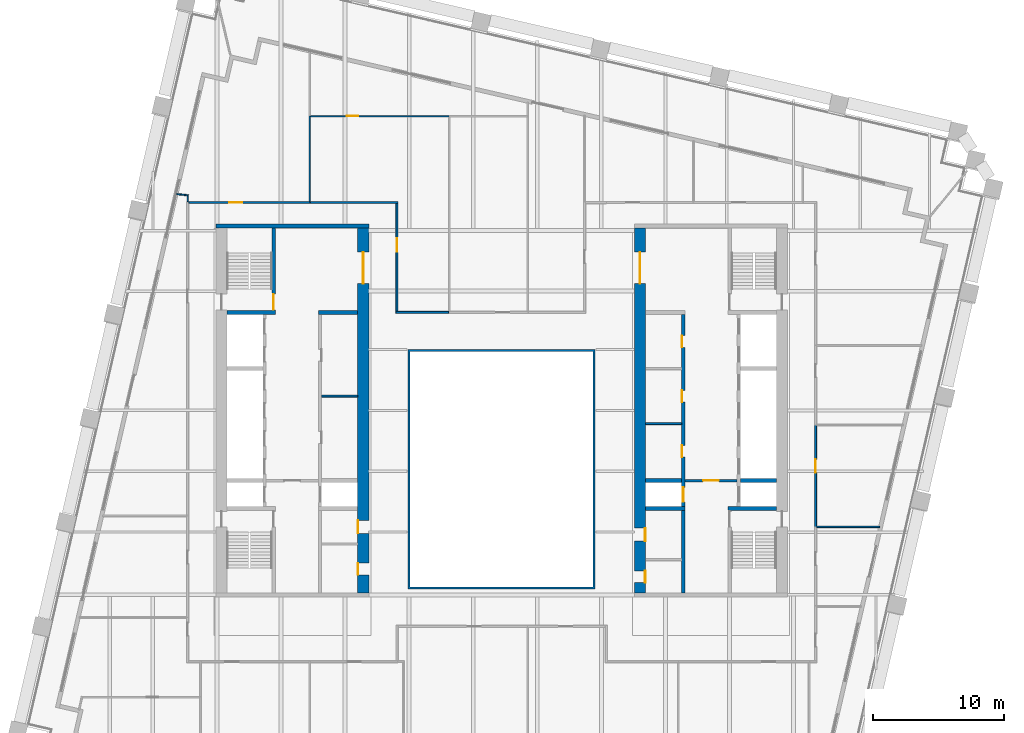
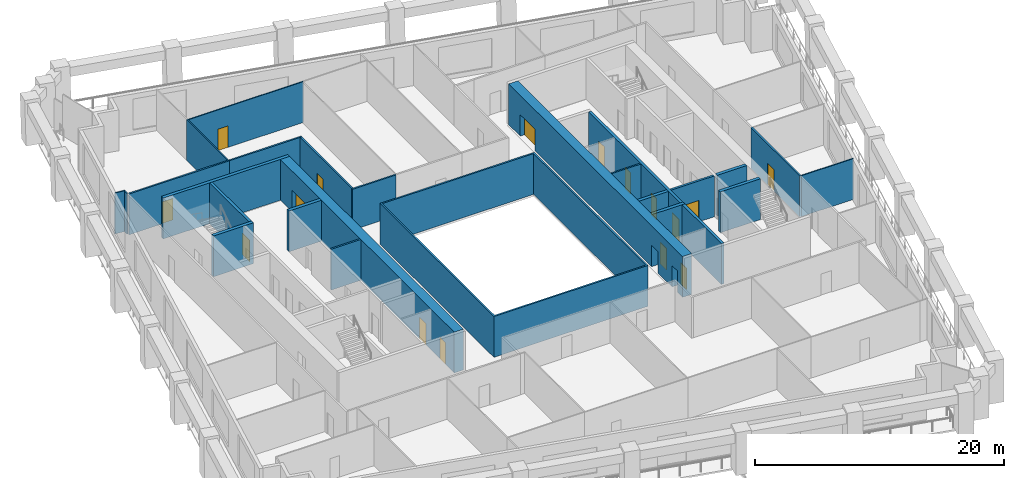
# One storey, part 6 of 9: 25 walls, 16 doors, 16 openings.
"""IFC4 building model written with IfcOpenShell, lengths in metres."""

from ifc_helpers import new_model, si_unit, direction, frame, frame_2d, origin, place, context, subcontext, project, spatial, polyline, rectangle, outline, extrude, material, layer, layer_set, type_object, element, fill, save


model = new_model("IFC4")

# Units and contexts
model_context = context("Model", 3, precision=1e-05, world=origin(), true_north=direction((0.0, 1.0)))
body_context = subcontext(model_context, "Body", "Model", "MODEL_VIEW")
ifc_project = project(units=[si_unit("LENGTHUNIT", "METRE"), si_unit("AREAUNIT", "SQUARE_METRE"), si_unit("VOLUMEUNIT", "CUBIC_METRE"), si_unit("PLANEANGLEUNIT", "RADIAN"), si_unit("MASSUNIT", "GRAM", prefix="KILO")], contexts=[model_context])

# Site, building, storey
site_placement = place(None, origin())
site = spatial("IfcSite", under=ifc_project, at=site_placement, CompositionType="ELEMENT")
building_placement = place(site_placement, origin())
building = spatial("IfcBuilding", under=site, at=building_placement, Name="Ogive Exchange Tower", CompositionType="ELEMENT")
storey_placement = place(building_placement, frame((0.0, 0.0, 126.60009765625)))
storey = spatial("IfcBuildingStorey", under=building, at=storey_placement, Name="L27", CompositionType="ELEMENT", Elevation=126.60009765625)

# Walls
ifc_material_1 = material(Name="Gypsum board partition")
ifc_layer_1 = layer(ifc_material_1, 0.14990234375)
ifc_layer_set_1 = layer_set([ifc_layer_1], Name="Core room partition 150 gypsum")
wall_type_1 = type_object("IfcWallType", Name="Core room partition 150 gypsum", PredefinedType="PARTITIONING", material=ifc_layer_set_1)
for number, where, z_axis, x_axis, name in (
    (1, (-13.75, 12.60009765625, 0.0), (0.0, 0.0, 1.0), (1.0, 0.0, 0.0), "W row B bay partition 1-1"),
    (2, (11.0, 10.5, 0.0), (0.0, 0.0, 1.0), (1.0, 0.0, 0.0), "E row B bay partition 1-1"),
):
    element("IfcWall", number, at=place(storey_placement, frame(where, z_axis=z_axis, x_axis=x_axis)), inside=storey, type_object=wall_type_1, Name=name, PredefinedType="PARTITIONING", context=body_context, shape_type="SweptSolid", body=[
        extrude(rectangle(XDim=2.75, YDim=0.14990234375, at=frame_2d((1.375, 0.0))), origin(), (0.0, 0.0, 1.0), 4.0),
    ])
ifc_layer_2 = layer(ifc_material_1, 0.300048828125)
ifc_layer_set_2 = layer_set([ifc_layer_2], Name="Core room partition 300 gypsum")
wall_type_2 = type_object("IfcWallType", Name="Core room partition 300 gypsum", PredefinedType="PARTITIONING", material=ifc_layer_set_2)
wall_1_placement = place(storey_placement, frame((-14.0, 19.0, 0.0), z_axis=(0.0, 0.0, 1.0), x_axis=(1.0, 0.0, 0.0)))
element("IfcWall", 3, at=wall_1_placement, inside=storey, type_object=wall_type_2, Name="W row B room end wall 7", PredefinedType="PARTITIONING", context=body_context, shape_type="SweptSolid", body=[
    extrude(rectangle(XDim=3.0, YDim=0.300048828125, at=frame_2d((1.5, 0.0))), origin(), (0.0, 0.0, 1.0), 4.0),
])

# Wall, opening, door
ifc_material_2 = material(Name="Fire partition EI 60 150")
ifc_layer_3 = layer(ifc_material_2, 0.14990234375)
ifc_layer_set_3 = layer_set([ifc_layer_3], Name="Fire partition EI 60 150")
wall_type_3 = type_object("IfcWallType", Name="Fire partition EI 60 150", PredefinedType="PARTITIONING", material=ifc_layer_set_3)
wall_2_placement = place(storey_placement, frame((-23.9150390625, 27.39990234375, 0.0), z_axis=(0.0, 0.0, 1.0), x_axis=(1.0, 0.0, 0.0)))
wall_2 = element("IfcWall", 4, at=wall_2_placement, inside=storey, type_object=wall_type_3, Name="L27-PWL-009", PredefinedType="PARTITIONING", context=body_context, shape_type="SweptSolid", body=[
    extrude(rectangle(XDim=9.294921875, YDim=0.14990234375, at=frame_2d((4.6474609375, 0.0))), origin(), (0.0, 0.0, 1.0), 4.0),
])
opening_1_placement = place(wall_2_placement, frame((3.094970703125, 0.0, 0.0)))
opening_1 = element("IfcOpeningElement", 5, at=opening_1_placement, cuts=wall_2, Name="Opening L27-I18", PredefinedType="OPENING", context=body_context, shape_type="SweptSolid", body=[
    extrude(rectangle(XDim=1.0, YDim=2.10009765625, at=frame_2d((0.5, 1.050048828125))), frame((0.0, 0.0849609375, 0.0), z_axis=(0.0, -1.0, 0.0), x_axis=(1.0, 0.0, 0.0)), (0.0, 0.0, 1.0), 0.169921875),
])
ifc_material_3 = material(Name="Fire door FD 30S 1000 x 2100")
door_type_1 = type_object("IfcDoorType", Name="Fire door FD 30S 1000 x 2100", OperationType="NOTDEFINED", PredefinedType="DOOR", material=ifc_material_3)
door_1_placement = place(opening_1_placement, origin())
door_1 = element("IfcDoor", 6, at=door_1_placement, inside=storey, type_object=door_type_1, Name="L27-IDR-018", ObjectType="DT3", OperationType="SINGLE_SWING_RIGHT", OverallHeight=2.10009765625, OverallWidth=1.0, PredefinedType="DOOR", context=body_context, shape_type="SweptSolid", body=[
    extrude(rectangle(XDim=1.0, YDim=2.10009765625, at=frame_2d((0.5, 1.050048828125))), frame((0.0, 0.02490234375, 0.0), z_axis=(0.0, -1.0, 0.0), x_axis=(1.0, 0.0, 0.0)), (0.0, 0.0, 1.0), 0.050048828125),
])
fill(opening_1, door_1)

# Walls
wall_3_placement = place(storey_placement, frame((-14.6201171875, 27.39990234375, 0.0), z_axis=(0.0, 0.0, 1.0), x_axis=(1.0, 0.0, 0.0)))
element("IfcWall", 7, at=wall_3_placement, inside=storey, type_object=wall_type_3, Name="L27-PWL-019", PredefinedType="PARTITIONING", context=body_context, shape_type="SweptSolid", body=[
    extrude(rectangle(XDim=6.695068359375, YDim=0.14990234375, at=frame_2d((3.34765625, 0.0))), origin(), (0.0, 0.0, 1.0), 4.0),
])
wall_4_placement = place(storey_placement, frame((-8.074951171875, 19.0, 0.0), z_axis=(0.0, 0.0, 1.0), x_axis=(1.0, 0.0, 0.0)))
element("IfcWall", 8, at=wall_4_placement, inside=storey, type_object=wall_type_3, Name="L27-PWL-022", PredefinedType="PARTITIONING", context=body_context, shape_type="SweptSolid", body=[
    extrude(rectangle(XDim=4.02490234375, YDim=0.14990234375, at=frame_2d((2.012451171875, 0.0))), origin(), (0.0, 0.0, 1.0), 4.0),
])

# Wall, opening, door
wall_5_placement = place(storey_placement, frame((-8.0, 27.324951171875, 0.0), z_axis=(0.0, 0.0, 1.0), x_axis=(0.0, -1.0, 0.0)))
wall_5 = element("IfcWall", 9, at=wall_5_placement, inside=storey, type_object=wall_type_3, Name="L27-PWL-023", PredefinedType="PARTITIONING", context=body_context, shape_type="SweptSolid", body=[
    extrude(rectangle(XDim=8.25, YDim=0.14990234375, at=frame_2d((4.125, 0.0))), origin(), (0.0, 0.0, 1.0), 4.0),
])
opening_2_placement = place(wall_5_placement, frame((2.675048828125, 0.0, 0.0)))
opening_2 = element("IfcOpeningElement", 10, at=opening_2_placement, cuts=wall_5, Name="Opening L27-I10", PredefinedType="OPENING", context=body_context, shape_type="SweptSolid", body=[
    extrude(rectangle(XDim=1.0, YDim=2.10009765625, at=frame_2d((0.5, 1.050048828125))), frame((0.0, 0.0849609375, 0.0), z_axis=(0.0, -1.0, 0.0), x_axis=(1.0, 0.0, 0.0)), (0.0, 0.0, 1.0), 0.169921875),
])
door_2_placement = place(opening_2_placement, origin())
door_2 = element("IfcDoor", 11, at=door_2_placement, inside=storey, type_object=door_type_1, Name="L27-IDR-010", ObjectType="DT3", OperationType="SINGLE_SWING_LEFT", OverallHeight=2.10009765625, OverallWidth=1.0, PredefinedType="DOOR", context=body_context, shape_type="SweptSolid", body=[
    extrude(rectangle(XDim=1.0, YDim=2.10009765625, at=frame_2d((0.5, 1.050048828125))), frame((0.0, 0.02490234375, 0.0), z_axis=(0.0, -1.0, 0.0), x_axis=(1.0, 0.0, 0.0)), (0.0, 0.0, 1.0), 0.050048828125),
])
fill(opening_2, door_2)

wall_6_placement = place(storey_placement, frame((24.0, 10.43994140625, 0.0), z_axis=(0.0, 0.0, 1.0), x_axis=(0.0, -1.0, 0.0)))
wall_6 = element("IfcWall", 12, at=wall_6_placement, inside=storey, type_object=wall_type_3, Name="L27-PWL-061", PredefinedType="PARTITIONING", context=body_context, shape_type="SweptSolid", body=[
    extrude(rectangle(XDim=7.829833984375, YDim=0.14990234375, at=frame_2d((3.9150390625, 0.0))), origin(), (0.0, 0.0, 1.0), 4.0),
])
opening_3_placement = place(wall_6_placement, frame((2.679931640625, 0.0, 0.0)))
opening_3 = element("IfcOpeningElement", 13, at=opening_3_placement, cuts=wall_6, Name="Opening L27-I13", PredefinedType="OPENING", context=body_context, shape_type="SweptSolid", body=[
    extrude(rectangle(XDim=1.0, YDim=2.10009765625, at=frame_2d((0.5, 1.050048828125))), frame((0.0, 0.0849609375, 0.0), z_axis=(0.0, -1.0, 0.0), x_axis=(1.0, 0.0, 0.0)), (0.0, 0.0, 1.0), 0.169921875),
])
door_3_placement = place(opening_3_placement, origin())
door_3 = element("IfcDoor", 14, at=door_3_placement, inside=storey, type_object=door_type_1, Name="L27-IDR-013", ObjectType="DT3", OperationType="SINGLE_SWING_RIGHT", OverallHeight=2.10009765625, OverallWidth=1.0, PredefinedType="DOOR", context=body_context, shape_type="SweptSolid", body=[
    extrude(rectangle(XDim=1.0, YDim=2.10009765625, at=frame_2d((0.5, 1.050048828125))), frame((0.0, 0.02490234375, 0.0), z_axis=(0.0, -1.0, 0.0), x_axis=(1.0, 0.0, 0.0)), (0.0, 0.0, 1.0), 0.050048828125),
])
fill(opening_3, door_3)

# Walls
ifc_material_4 = material(Name="Fire-resisting glass in steel frame", Category="steel")
ifc_layer_4 = layer(ifc_material_4, 0.14990234375)
ifc_layer_set_4 = layer_set([ifc_layer_4], Name="Fire-rated glazed wall 150")
wall_type_4 = type_object("IfcWallType", Name="Fire-rated glazed wall 150", PredefinedType="STANDARD", material=ifc_layer_set_4)
wall_7_placement = place(storey_placement, origin())
element("IfcWall", 15, at=wall_7_placement, inside=storey, type_object=wall_type_4, Name="Nave enclosure wall", PredefinedType="STANDARD", context=body_context, shape_type="SweptSolid", body=[
    extrude(outline(polyline([(-7.14990234375, -2.14990234375), (7.14990234375, -2.14990234375), (7.14990234375, 16.14990234375), (-7.14990234375, 16.14990234375), (-7.14990234375, -2.14990234375)]), holes=[polyline([(-7.0, -2.0), (-7.0, 16.0), (7.0, 16.0), (7.0, -2.0), (-7.0, -2.0)])]), origin(), (0.0, 0.0, 1.0), 4.0),
])
ifc_material_5 = material(Name="Partition 100 gypsum")
ifc_layer_5 = layer(ifc_material_5, 0.10009765625)
ifc_layer_set_5 = layer_set([ifc_layer_5], Name="Partition 100 gypsum")
wall_type_5 = type_object("IfcWallType", Name="Partition 100 gypsum", PredefinedType="PARTITIONING", material=ifc_layer_set_5)
wall_8_placement = place(storey_placement, frame((-24.820068359375, 28.044921875, 0.0), z_axis=(0.0, 0.0, 1.0), x_axis=(0.993501545499, -0.113818623659, 0.0)))
element("IfcWall", 16, at=wall_8_placement, inside=storey, type_object=wall_type_5, Name="L27-PWL-002", PredefinedType="PARTITIONING", context=body_context, shape_type="SweptSolid", body=[
    extrude(rectangle(XDim=0.885986328125, YDim=0.10009765625, at=frame_2d((0.44287109375, 0.0))), origin(), (0.0, 0.0, 1.0), 4.0),
])
wall_9_placement = place(storey_placement, frame((-23.989990234375, 27.47509765625, 0.0), z_axis=(0.0, 0.0, 1.0), x_axis=(0.0, 1.0, 0.0)))
element("IfcWall", 17, at=wall_9_placement, inside=storey, type_object=wall_type_5, Name="L27-PWL-008", PredefinedType="PARTITIONING", context=body_context, shape_type="SweptSolid", body=[
    extrude(rectangle(XDim=0.4248046875, YDim=0.10009765625, at=frame_2d((0.21240234375, 0.0))), origin(), (0.0, 0.0, 1.0), 4.0),
])
wall_10_placement = place(storey_placement, frame((-14.669921875, 27.47509765625, 0.0), z_axis=(0.0, 0.0, 1.0), x_axis=(0.0, 1.0, 0.0)))
element("IfcWall", 18, at=wall_10_placement, inside=storey, type_object=wall_type_5, Name="L27-PWL-018", PredefinedType="PARTITIONING", context=body_context, shape_type="SweptSolid", body=[
    extrude(rectangle(XDim=6.574951171875, YDim=0.10009765625, at=frame_2d((3.28759765625, 0.0))), origin(), (0.0, 0.0, 1.0), 4.0),
])

# Wall, opening, door
wall_11_placement = place(storey_placement, frame((-3.949951171875, 34.0, 0.0), z_axis=(0.0, 0.0, 1.0), x_axis=(-1.0, 0.0, 0.0)))
wall_11 = element("IfcWall", 19, at=wall_11_placement, inside=storey, type_object=wall_type_5, Name="L27-PWL-029", PredefinedType="PARTITIONING", context=body_context, shape_type="SweptSolid", body=[
    extrude(rectangle(XDim=10.670166015625, YDim=0.10009765625, at=frame_2d((5.3349609375, 0.0))), origin(), (0.0, 0.0, 1.0), 4.0),
])
opening_4_placement = place(wall_11_placement, frame((7.0, 0.0, 0.0)))
opening_4 = element("IfcOpeningElement", 20, at=opening_4_placement, cuts=wall_11, Name="Opening L27-I09", PredefinedType="OPENING", context=body_context, shape_type="SweptSolid", body=[
    extrude(rectangle(XDim=0.89990234375, YDim=2.10009765625, at=frame_2d((0.449951171875, 1.050048828125))), frame((0.0, 0.06005859375, 0.0), z_axis=(0.0, -1.0, 0.0), x_axis=(1.0, 0.0, 0.0)), (0.0, 0.0, 1.0), 0.1201171875),
])
ifc_material_6 = material(Name="Door 900 x 2100")
door_type_2 = type_object("IfcDoorType", Name="Door 900 x 2100", OperationType="NOTDEFINED", PredefinedType="DOOR", material=ifc_material_6)
door_4_placement = place(opening_4_placement, frame((0.89990234375, 0.0, 0.0), z_axis=(0.0, 0.0, 1.0), x_axis=(-1.0, 0.0, 0.0)))
door_4 = element("IfcDoor", 21, at=door_4_placement, inside=storey, type_object=door_type_2, Name="L27-IDR-009", ObjectType="DT1", OperationType="SINGLE_SWING_RIGHT", OverallHeight=2.10009765625, OverallWidth=0.89990234375, PredefinedType="DOOR", context=body_context, shape_type="SweptSolid", body=[
    extrude(rectangle(XDim=0.89990234375, YDim=2.10009765625, at=frame_2d((0.449951171875, 1.050048828125))), frame((0.0, 0.02490234375, 0.0), z_axis=(0.0, -1.0, 0.0), x_axis=(1.0, 0.0, 0.0)), (0.0, 0.0, 1.0), 0.050048828125),
])
fill(opening_4, door_4)

# Wall
wall_12_placement = place(storey_placement, frame((24.074951171875, 2.610107421875, 0.0), z_axis=(0.0, 0.0, 1.0), x_axis=(1.0, 0.0, 0.0)))
element("IfcWall", 22, at=wall_12_placement, inside=storey, type_object=wall_type_5, Name="L27-PWL-060", PredefinedType="PARTITIONING", context=body_context, shape_type="SweptSolid", body=[
    extrude(rectangle(XDim=4.821044921875, YDim=0.10009765625, at=frame_2d((2.41064453125, 0.0))), origin(), (0.0, 0.0, 1.0), 4.0),
])

# Wall, opening, door
ifc_material_7 = material(Name="Concrete C70/85", Category="concrete")
ifc_layer_6 = layer(ifc_material_7, 0.199951171875)
ifc_layer_set_6 = layer_set([ifc_layer_6], Name="RC core wall 200 C70/85")
wall_type_6 = type_object("IfcWallType", Name="RC core wall 200 C70/85", PredefinedType="SHEAR", material=ifc_layer_set_6)
wall_13_placement = place(storey_placement, frame((14.0, 6.142822265625, 0.0), z_axis=(0.0, 0.0, 1.0), x_axis=(1.0, 0.0, 0.0)))
wall_13 = element("IfcWall", 23, at=wall_13_placement, inside=storey, type_object=wall_type_6, Name="E firefighting lobby wall", PredefinedType="SHEAR", context=body_context, shape_type="SweptSolid", body=[
    extrude(rectangle(XDim=4.0, YDim=0.199951171875, at=frame_2d((2.0, 0.0))), origin(), (0.0, 0.0, 1.0), 4.0),
])
opening_5_placement = place(wall_13_placement, frame((1.39990234375, 0.0, 0.0)))
opening_5 = element("IfcOpeningElement", 24, at=opening_5_placement, cuts=wall_13, Name="Opening L27-C30", PredefinedType="OPENING", context=body_context, shape_type="SweptSolid", body=[
    extrude(rectangle(XDim=1.199951171875, YDim=2.10009765625, at=frame_2d((0.60009765625, 1.050048828125))), frame((0.0, 0.10986328125, 0.0), z_axis=(0.0, -1.0, 0.0), x_axis=(1.0, 0.0, 0.0)), (0.0, 0.0, 1.0), 0.219970703125),
])
ifc_material_8 = material(Name="Steel fire door", Category="steel")
door_type_3 = type_object("IfcDoorType", Name="Firefighting lobby door FD60 1200 x 2100", OperationType="NOTDEFINED", PredefinedType="DOOR", material=ifc_material_8)
door_5_placement = place(opening_5_placement, frame((1.199951171875, 0.0, 0.0), z_axis=(0.0, 0.0, 1.0), x_axis=(-1.0, 0.0, 0.0)))
door_5 = element("IfcDoor", 25, at=door_5_placement, inside=storey, type_object=door_type_3, Name="Firefighting lobby door", ObjectType="CD3", OperationType="SINGLE_SWING_RIGHT", OverallHeight=2.10009765625, OverallWidth=1.199951171875, PredefinedType="DOOR", context=body_context, shape_type="SweptSolid", body=[
    extrude(rectangle(XDim=1.199951171875, YDim=2.10009765625, at=frame_2d((0.60009765625, 1.050048828125))), frame((0.0, 0.02490234375, 0.0), z_axis=(0.0, -1.0, 0.0), x_axis=(1.0, 0.0, 0.0)), (0.0, 0.0, 1.0), 0.050048828125),
])
fill(opening_5, door_5)

ifc_layer_7 = layer(ifc_material_7, 0.25)
ifc_layer_set_7 = layer_set([ifc_layer_7], Name="RC core wall 250 C70/85")
wall_type_7 = type_object("IfcWallType", Name="RC core wall 250 C70/85", PredefinedType="SHEAR", material=ifc_layer_set_7)
wall_14_placement = place(storey_placement, frame((-17.425048828125, 19.14990234375, 0.0), z_axis=(0.0, 0.0, 1.0), x_axis=(0.0, 1.0, 0.0)))
wall_14 = element("IfcWall", 26, at=wall_14_placement, inside=storey, type_object=wall_type_7, Name="W stair N front wall", PredefinedType="SHEAR", context=body_context, shape_type="SweptSolid", body=[
    extrude(rectangle(XDim=6.300048828125, YDim=0.25, at=frame_2d((3.14990234375, 0.0))), origin(), (0.0, 0.0, 1.0), 4.0),
])
opening_6_placement = place(wall_14_placement, frame((0.050048828125, 0.0, 0.0)))
opening_6 = element("IfcOpeningElement", 27, at=opening_6_placement, cuts=wall_14, Name="Opening L27-C15", PredefinedType="OPENING", context=body_context, shape_type="SweptSolid", body=[
    extrude(rectangle(XDim=1.199951171875, YDim=2.10009765625, at=frame_2d((0.60009765625, 1.050048828125))), frame((0.0, 0.135009765625, 0.0), z_axis=(0.0, -1.0, 0.0), x_axis=(1.0, 0.0, 0.0)), (0.0, 0.0, 1.0), 0.27001953125),
])
door_type_4 = type_object("IfcDoorType", Name="Stair door FD90 1200 x 2100", OperationType="NOTDEFINED", PredefinedType="DOOR", material=ifc_material_8)
door_6_placement = place(opening_6_placement, origin())
door_6 = element("IfcDoor", 28, at=door_6_placement, inside=storey, type_object=door_type_4, Name="Stair door", ObjectType="CD5", OperationType="SINGLE_SWING_RIGHT", OverallHeight=2.10009765625, OverallWidth=1.199951171875, PredefinedType="DOOR", context=body_context, shape_type="SweptSolid", body=[
    extrude(rectangle(XDim=1.199951171875, YDim=2.10009765625, at=frame_2d((0.60009765625, 1.050048828125))), frame((0.0, 0.02490234375, 0.0), z_axis=(0.0, -1.0, 0.0), x_axis=(1.0, 0.0, 0.0)), (0.0, 0.0, 1.0), 0.050048828125),
])
fill(opening_6, door_6)

# Wall, openings, doors
wall_15_placement = place(storey_placement, frame((13.875, -2.449951171875, 0.0), z_axis=(0.0, 0.0, 1.0), x_axis=(0.0, 1.0, 0.0)))
wall_15 = element("IfcWall", 29, at=wall_15_placement, inside=storey, type_object=wall_type_7, Name="E row B front wall", PredefinedType="SHEAR", context=body_context, shape_type="SweptSolid", body=[
    extrude(rectangle(XDim=21.300048828125, YDim=0.25, at=frame_2d((10.64990234375, 0.0))), origin(), (0.0, 0.0, 1.0), 4.0),
])
opening_7_placement = place(wall_15_placement, frame((10.396484375, 0.0, 0.0)))
opening_7 = element("IfcOpeningElement", 30, at=opening_7_placement, cuts=wall_15, Name="Opening L27-C26", PredefinedType="OPENING", context=body_context, shape_type="SweptSolid", body=[
    extrude(rectangle(XDim=0.89990234375, YDim=2.10009765625, at=frame_2d((0.449951171875, 1.050048828125))), frame((0.0, 0.135009765625, 0.0), z_axis=(0.0, -1.0, 0.0), x_axis=(1.0, 0.0, 0.0)), (0.0, 0.0, 1.0), 0.27001953125),
])
opening_8_placement = place(wall_15_placement, frame((14.60009765625, 0.0, 0.0)))
opening_8 = element("IfcOpeningElement", 31, at=opening_8_placement, cuts=wall_15, Name="Opening L27-C27", PredefinedType="OPENING", context=body_context, shape_type="SweptSolid", body=[
    extrude(rectangle(XDim=0.89990234375, YDim=2.10009765625, at=frame_2d((0.449951171875, 1.050048828125))), frame((0.0, 0.135009765625, 0.0), z_axis=(0.0, -1.0, 0.0), x_axis=(1.0, 0.0, 0.0)), (0.0, 0.0, 1.0), 0.27001953125),
])
opening_9_placement = place(wall_15_placement, frame((18.77490234375, 0.0, 0.0)))
opening_9 = element("IfcOpeningElement", 32, at=opening_9_placement, cuts=wall_15, Name="Opening L27-C28", PredefinedType="OPENING", context=body_context, shape_type="SweptSolid", body=[
    extrude(rectangle(XDim=0.89990234375, YDim=2.10009765625, at=frame_2d((0.449951171875, 1.050048828125))), frame((0.0, 0.135009765625, 0.0), z_axis=(0.0, -1.0, 0.0), x_axis=(1.0, 0.0, 0.0)), (0.0, 0.0, 1.0), 0.27001953125),
])
opening_10_placement = place(wall_15_placement, frame((6.971435546875, 0.0, 0.0)))
opening_10 = element("IfcOpeningElement", 33, at=opening_10_placement, cuts=wall_15, Name="Opening L27-C29", PredefinedType="OPENING", context=body_context, shape_type="SweptSolid", body=[
    extrude(rectangle(XDim=1.10009765625, YDim=2.10009765625, at=frame_2d((0.550048828125, 1.050048828125))), frame((0.0, 0.135009765625, 0.0), z_axis=(0.0, -1.0, 0.0), x_axis=(1.0, 0.0, 0.0)), (0.0, 0.0, 1.0), 0.27001953125),
])
ifc_material_9 = material(Name="Stainless steel", Category="steel")
door_type_5 = type_object("IfcDoorType", Name="Lift landing door FD90 1100 x 2100", OperationType="SLIDING_TO_LEFT", PredefinedType="DOOR", material=ifc_material_9)
door_7_placement = place(opening_10_placement, origin())
door_7 = element("IfcDoor", 34, at=door_7_placement, inside=storey, type_object=door_type_5, Name="Lift landing door SV2", ObjectType="LD", OperationType="SLIDING_TO_LEFT", OverallHeight=2.10009765625, OverallWidth=1.10009765625, PredefinedType="DOOR", context=body_context, shape_type="SweptSolid", body=[
    extrude(rectangle(XDim=1.10009765625, YDim=2.10009765625, at=frame_2d((0.550048828125, 1.050048828125))), frame((0.0, 0.02490234375, 0.0), z_axis=(0.0, -1.0, 0.0), x_axis=(1.0, 0.0, 0.0)), (0.0, 0.0, 1.0), 0.050048828125),
])
fill(opening_10, door_7)
door_type_6 = type_object("IfcDoorType", Name="Riser door FD60 900 x 2100", OperationType="NOTDEFINED", PredefinedType="DOOR", material=ifc_material_8)
door_8_placement = place(opening_7_placement, origin())
door_8 = element("IfcDoor", 35, at=door_8_placement, inside=storey, type_object=door_type_6, Name="Riser door", ObjectType="CD2", OperationType="SINGLE_SWING_LEFT", OverallHeight=2.10009765625, OverallWidth=0.89990234375, PredefinedType="DOOR", context=body_context, shape_type="SweptSolid", body=[
    extrude(rectangle(XDim=0.89990234375, YDim=2.10009765625, at=frame_2d((0.449951171875, 1.050048828125))), frame((0.0, 0.125, 0.0), z_axis=(0.0, -1.0, 0.0), x_axis=(1.0, 0.0, 0.0)), (0.0, 0.0, 1.0), 0.050048828125),
])
fill(opening_7, door_8)
door_9_placement = place(opening_8_placement, origin())
door_9 = element("IfcDoor", 36, at=door_9_placement, inside=storey, type_object=door_type_6, Name="Riser door", ObjectType="CD2", OperationType="SINGLE_SWING_LEFT", OverallHeight=2.10009765625, OverallWidth=0.89990234375, PredefinedType="DOOR", context=body_context, shape_type="SweptSolid", body=[
    extrude(rectangle(XDim=0.89990234375, YDim=2.10009765625, at=frame_2d((0.449951171875, 1.050048828125))), frame((0.0, 0.125, 0.0), z_axis=(0.0, -1.0, 0.0), x_axis=(1.0, 0.0, 0.0)), (0.0, 0.0, 1.0), 0.050048828125),
])
fill(opening_8, door_9)
door_10_placement = place(opening_9_placement, origin())
door_10 = element("IfcDoor", 37, at=door_10_placement, inside=storey, type_object=door_type_6, Name="Riser door", ObjectType="CD2", OperationType="SINGLE_SWING_RIGHT", OverallHeight=2.10009765625, OverallWidth=0.89990234375, PredefinedType="DOOR", context=body_context, shape_type="SweptSolid", body=[
    extrude(rectangle(XDim=0.89990234375, YDim=2.10009765625, at=frame_2d((0.449951171875, 1.050048828125))), frame((0.0, 0.125, 0.0), z_axis=(0.0, -1.0, 0.0), x_axis=(1.0, 0.0, 0.0)), (0.0, 0.0, 1.0), 0.050048828125),
])
fill(opening_9, door_10)

# Walls
ifc_layer_8 = layer(ifc_material_7, 0.300048828125)
ifc_layer_set_8 = layer_set([ifc_layer_8], Name="RC core wall 300 C70/85")
wall_type_8 = type_object("IfcWallType", Name="RC core wall 300 C70/85", PredefinedType="SHEAR", material=ifc_layer_set_8)
wall_16_placement = place(storey_placement, frame((-21.85009765625, 25.60009765625, 0.0), z_axis=(0.0, 0.0, 1.0), x_axis=(1.0, 0.0, 0.0)))
element("IfcWall", 38, at=wall_16_placement, inside=storey, type_object=wall_type_8, Name="W north end wall", PredefinedType="SHEAR", context=body_context, shape_type="SweptSolid", body=[
    extrude(rectangle(XDim=11.7001953125, YDim=0.300048828125, at=frame_2d((5.85009765625, 0.0))), origin(), (0.0, 0.0, 1.0), 4.0),
])
for number, where, z_axis, x_axis, name in (
    (39, (-21.0, 19.0, 0.0), (0.0, 0.0, 1.0), (1.0, 0.0, 0.0), "W stair N south wall"),
    (40, (17.300048828125, 4.0, 0.0), (0.0, 0.0, 1.0), (1.0, 0.0, 0.0), "E stair S north wall"),
):
    element("IfcWall", number, at=place(storey_placement, frame(where, z_axis=z_axis, x_axis=x_axis)), inside=storey, type_object=wall_type_8, Name=name, PredefinedType="SHEAR", context=body_context, shape_type="SweptSolid", body=[
        extrude(rectangle(XDim=3.699951171875, YDim=0.300048828125, at=frame_2d((1.85009765625, 0.0))), origin(), (0.0, 0.0, 1.0), 4.0),
    ])
wall_17_placement = place(storey_placement, frame((18.25, 6.142822265625, 0.0), z_axis=(0.0, 0.0, 1.0), x_axis=(1.0, 0.0, 0.0)))
element("IfcWall", 41, at=wall_17_placement, inside=storey, type_object=wall_type_8, Name="E row A divider 1", PredefinedType="SHEAR", context=body_context, shape_type="SweptSolid", body=[
    extrude(rectangle(XDim=2.75, YDim=0.300048828125, at=frame_2d((1.375, 0.0))), origin(), (0.0, 0.0, 1.0), 4.0),
])
wall_18_placement = place(storey_placement, frame((11.0, 4.0, 0.0), z_axis=(0.0, 0.0, 1.0), x_axis=(1.0, 0.0, 0.0)))
element("IfcWall", 42, at=wall_18_placement, inside=storey, type_object=wall_type_8, Name="E row B divider 0", PredefinedType="SHEAR", context=body_context, shape_type="SweptSolid", body=[
    extrude(rectangle(XDim=3.0, YDim=0.300048828125, at=frame_2d((1.5, 0.0))), origin(), (0.0, 0.0, 1.0), 4.0),
])
wall_19_placement = place(storey_placement, frame((11.0, 6.142822265625, 0.0), z_axis=(0.0, 0.0, 1.0), x_axis=(1.0, 0.0, 0.0)))
element("IfcWall", 43, at=wall_19_placement, inside=storey, type_object=wall_type_8, Name="E row B divider 1", PredefinedType="SHEAR", context=body_context, shape_type="SweptSolid", body=[
    extrude(rectangle(XDim=2.75, YDim=0.300048828125, at=frame_2d((1.375, 0.0))), origin(), (0.0, 0.0, 1.0), 4.0),
])

# Wall, openings, doors
ifc_layer_9 = layer(ifc_material_7, 0.85009765625)
ifc_layer_set_9 = layer_set([ifc_layer_9], Name="RC core wall 850 C70/85")
wall_type_9 = type_object("IfcWallType", Name="RC core wall 850 C70/85", PredefinedType="SHEAR", material=ifc_layer_set_9)
wall_20_placement = place(storey_placement, frame((-10.574951171875, -2.449951171875, 0.0), z_axis=(0.0, 0.0, 1.0), x_axis=(0.0, 1.0, 0.0)))
wall_20 = element("IfcWall", 44, at=wall_20_placement, inside=storey, type_object=wall_type_9, Name="W inner wall", PredefinedType="SHEAR", context=body_context, shape_type="SweptSolid", body=[
    extrude(rectangle(XDim=27.89990234375, YDim=0.85009765625, at=frame_2d((13.949951171875, 0.0))), origin(), (0.0, 0.0, 1.0), 4.0),
])
opening_11_placement = place(wall_20_placement, frame((23.64990234375, 0.0, 0.0)))
opening_11 = element("IfcOpeningElement", 45, at=opening_11_placement, cuts=wall_20, Name="Opening L27-C12", PredefinedType="OPENING", context=body_context, shape_type="SweptSolid", body=[
    extrude(rectangle(XDim=2.39990234375, YDim=2.10009765625, at=frame_2d((1.199951171875, 1.050048828125))), frame((0.0, 0.43505859375, 0.0), z_axis=(0.0, -1.0, 0.0), x_axis=(1.0, 0.0, 0.0)), (0.0, 0.0, 1.0), 0.8701171875),
])
opening_12_placement = place(wall_20_placement, frame((1.387451171875, 0.0, 0.0)))
opening_12 = element("IfcOpeningElement", 46, at=opening_12_placement, cuts=wall_20, Name="Opening L27-C17", PredefinedType="OPENING", context=body_context, shape_type="SweptSolid", body=[
    extrude(rectangle(XDim=0.89990234375, YDim=2.10009765625, at=frame_2d((0.449951171875, 1.050048828125))), frame((0.0, 0.43505859375, 0.0), z_axis=(0.0, -1.0, 0.0), x_axis=(1.0, 0.0, 0.0)), (0.0, 0.0, 1.0), 0.8701171875),
])
opening_13_placement = place(wall_20_placement, frame((4.5625, 0.0, 0.0)))
opening_13 = element("IfcOpeningElement", 47, at=opening_13_placement, cuts=wall_20, Name="Opening L27-C18", PredefinedType="OPENING", context=body_context, shape_type="SweptSolid", body=[
    extrude(rectangle(XDim=1.0, YDim=2.10009765625, at=frame_2d((0.5, 1.050048828125))), frame((0.0, 0.43505859375, 0.0), z_axis=(0.0, -1.0, 0.0), x_axis=(1.0, 0.0, 0.0)), (0.0, 0.0, 1.0), 0.8701171875),
])
ifc_material_10 = material(Name="Timber fire door", Category="wood")
door_type_7 = type_object("IfcDoorType", Name="Accessible WC door FD30S 1000 x 2100", OperationType="NOTDEFINED", PredefinedType="DOOR", material=ifc_material_10)
door_11_placement = place(opening_13_placement, origin())
door_11 = element("IfcDoor", 48, at=door_11_placement, inside=storey, type_object=door_type_7, Name="Accessible WC door", ObjectType="CD7", OperationType="SINGLE_SWING_LEFT", OverallHeight=2.10009765625, OverallWidth=1.0, PredefinedType="DOOR", context=body_context, shape_type="SweptSolid", body=[
    extrude(rectangle(XDim=1.0, YDim=2.10009765625, at=frame_2d((0.5, 1.050048828125))), frame((0.0, 0.4248046875, 0.0), z_axis=(0.0, -1.0, 0.0), x_axis=(1.0, 0.0, 0.0)), (0.0, 0.0, 1.0), 0.050048828125),
])
fill(opening_13, door_11)
door_type_8 = type_object("IfcDoorType", Name="Core room door FD30S 900 x 2100", OperationType="NOTDEFINED", PredefinedType="DOOR", material=ifc_material_10)
door_12_placement = place(opening_12_placement, origin())
door_12 = element("IfcDoor", 49, at=door_12_placement, inside=storey, type_object=door_type_8, Name="Core room door", ObjectType="CD6", OperationType="SINGLE_SWING_RIGHT", OverallHeight=2.10009765625, OverallWidth=0.89990234375, PredefinedType="DOOR", context=body_context, shape_type="SweptSolid", body=[
    extrude(rectangle(XDim=0.89990234375, YDim=2.10009765625, at=frame_2d((0.449951171875, 1.050048828125))), frame((0.0, 0.4248046875, 0.0), z_axis=(0.0, -1.0, 0.0), x_axis=(1.0, 0.0, 0.0)), (0.0, 0.0, 1.0), 0.050048828125),
])
fill(opening_12, door_12)
ifc_material_11 = material(Name="Glazed steel fire door", Category="steel")
door_type_9 = type_object("IfcDoorType", Name="Lift lobby double door FD60 2400 x 2100", OperationType="DOUBLE_DOOR_SINGLE_SWING", PredefinedType="DOOR", material=ifc_material_11)
door_13_placement = place(opening_11_placement, origin())
door_13 = element("IfcDoor", 50, at=door_13_placement, inside=storey, type_object=door_type_9, Name="Lift lobby double door", ObjectType="CD4", OperationType="DOUBLE_DOOR_SINGLE_SWING", OverallHeight=2.10009765625, OverallWidth=2.39990234375, PredefinedType="DOOR", context=body_context, shape_type="SweptSolid", body=[
    extrude(rectangle(XDim=2.39990234375, YDim=2.10009765625, at=frame_2d((1.199951171875, 1.050048828125))), frame((0.0, 0.02490234375, 0.0), z_axis=(0.0, -1.0, 0.0), x_axis=(1.0, 0.0, 0.0)), (0.0, 0.0, 1.0), 0.050048828125),
])
fill(opening_11, door_13)

wall_21_placement = place(storey_placement, frame((10.574951171875, -2.449951171875, 0.0), z_axis=(0.0, 0.0, 1.0), x_axis=(0.0, 1.0, 0.0)))
wall_21 = element("IfcWall", 51, at=wall_21_placement, inside=storey, type_object=wall_type_9, Name="E inner wall", PredefinedType="SHEAR", context=body_context, shape_type="SweptSolid", body=[
    extrude(rectangle(XDim=27.89990234375, YDim=0.85009765625, at=frame_2d((13.949951171875, 0.0))), origin(), (0.0, 0.0, 1.0), 4.0),
])
opening_14_placement = place(wall_21_placement, frame((23.64990234375, 0.0, 0.0)))
opening_14 = element("IfcOpeningElement", 52, at=opening_14_placement, cuts=wall_21, Name="Opening L27-C31", PredefinedType="OPENING", context=body_context, shape_type="SweptSolid", body=[
    extrude(rectangle(XDim=2.39990234375, YDim=2.10009765625, at=frame_2d((1.199951171875, 1.050048828125))), frame((0.0, 0.43505859375, 0.0), z_axis=(0.0, -1.0, 0.0), x_axis=(1.0, 0.0, 0.0)), (0.0, 0.0, 1.0), 0.8701171875),
])
opening_15_placement = place(wall_21_placement, frame((0.78759765625, 0.0, 0.0)))
opening_15 = element("IfcOpeningElement", 53, at=opening_15_placement, cuts=wall_21, Name="Opening L27-C36", PredefinedType="OPENING", context=body_context, shape_type="SweptSolid", body=[
    extrude(rectangle(XDim=0.89990234375, YDim=2.10009765625, at=frame_2d((0.449951171875, 1.050048828125))), frame((0.0, 0.43505859375, 0.0), z_axis=(0.0, -1.0, 0.0), x_axis=(1.0, 0.0, 0.0)), (0.0, 0.0, 1.0), 0.8701171875),
])
opening_16_placement = place(wall_21_placement, frame((3.96240234375, 0.0, 0.0)))
opening_16 = element("IfcOpeningElement", 54, at=opening_16_placement, cuts=wall_21, Name="Opening L27-C37", PredefinedType="OPENING", context=body_context, shape_type="SweptSolid", body=[
    extrude(rectangle(XDim=1.0, YDim=2.10009765625, at=frame_2d((0.5, 1.050048828125))), frame((0.0, 0.43505859375, 0.0), z_axis=(0.0, -1.0, 0.0), x_axis=(1.0, 0.0, 0.0)), (0.0, 0.0, 1.0), 0.8701171875),
])
door_14_placement = place(opening_16_placement, frame((1.0, -0.7998046875, 0.0), z_axis=(0.0, 0.0, 1.0), x_axis=(-1.0, 0.0, 0.0)))
door_14 = element("IfcDoor", 55, at=door_14_placement, inside=storey, type_object=door_type_7, Name="Accessible WC door", ObjectType="CD7", OperationType="SINGLE_SWING_LEFT", OverallHeight=2.10009765625, OverallWidth=1.0, PredefinedType="DOOR", context=body_context, shape_type="SweptSolid", body=[
    extrude(rectangle(XDim=1.0, YDim=2.10009765625, at=frame_2d((0.5, 1.050048828125))), frame((0.0, -0.375, 0.0), z_axis=(0.0, -1.0, 0.0), x_axis=(1.0, 0.0, 0.0)), (0.0, 0.0, 1.0), 0.050048828125),
])
fill(opening_16, door_14)
door_15_placement = place(opening_15_placement, frame((0.89990234375, -0.7998046875, 0.0), z_axis=(0.0, 0.0, 1.0), x_axis=(-1.0, 0.0, 0.0)))
door_15 = element("IfcDoor", 56, at=door_15_placement, inside=storey, type_object=door_type_8, Name="Core room door", ObjectType="CD6", OperationType="SINGLE_SWING_LEFT", OverallHeight=2.10009765625, OverallWidth=0.89990234375, PredefinedType="DOOR", context=body_context, shape_type="SweptSolid", body=[
    extrude(rectangle(XDim=0.89990234375, YDim=2.10009765625, at=frame_2d((0.449951171875, 1.050048828125))), frame((0.0, -0.375, 0.0), z_axis=(0.0, -1.0, 0.0), x_axis=(1.0, 0.0, 0.0)), (0.0, 0.0, 1.0), 0.050048828125),
])
fill(opening_15, door_15)
door_16_placement = place(opening_14_placement, frame((2.39990234375, 0.0, 0.0), z_axis=(0.0, 0.0, 1.0), x_axis=(-1.0, 0.0, 0.0)))
door_16 = element("IfcDoor", 57, at=door_16_placement, inside=storey, type_object=door_type_9, Name="Lift lobby double door", ObjectType="CD4", OperationType="DOUBLE_DOOR_SINGLE_SWING", OverallHeight=2.10009765625, OverallWidth=2.39990234375, PredefinedType="DOOR", context=body_context, shape_type="SweptSolid", body=[
    extrude(rectangle(XDim=2.39990234375, YDim=2.10009765625, at=frame_2d((1.199951171875, 1.050048828125))), frame((0.0, 0.02490234375, 0.0), z_axis=(0.0, -1.0, 0.0), x_axis=(1.0, 0.0, 0.0)), (0.0, 0.0, 1.0), 0.050048828125),
])
fill(opening_14, door_16)

save(model, "model.ifc")
